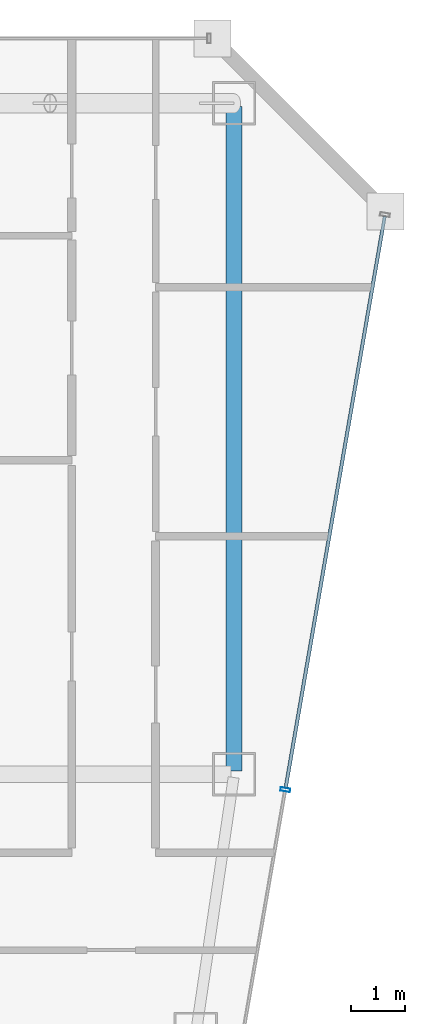
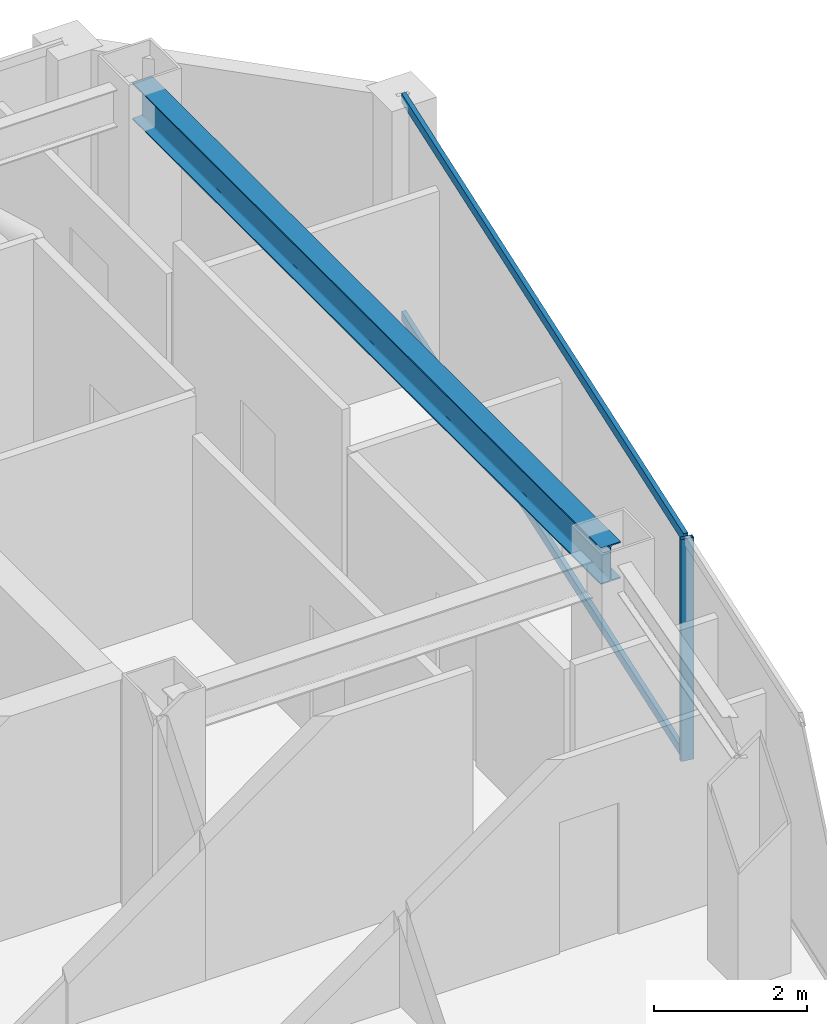
# One storey, part 18 of 33: 3 members, 1 beam, 1 element without a shape of its own.
"""IFC4 building model written with IfcOpenShell, lengths in metres."""

from ifc_helpers import new_model, si_unit, direction, frame, origin, origin_2d, place, context, subcontext, project, spatial, hollow_rectangle, i_section, extrude, material, material_profile, profile_set, type_object, element, aggregate, save


model = new_model("IFC4")

# Units and contexts
model_context = context("Model", 3, precision=1e-05, world=origin(), true_north=direction((0.0, 1.0)))
body_context = subcontext(model_context, "Body", "Model", "MODEL_VIEW")
ifc_project = project(units=[si_unit("LENGTHUNIT", "METRE"), si_unit("AREAUNIT", "SQUARE_METRE"), si_unit("VOLUMEUNIT", "CUBIC_METRE"), si_unit("PLANEANGLEUNIT", "RADIAN"), si_unit("MASSUNIT", "GRAM", prefix="KILO")], contexts=[model_context])

# Site, building, storey
site_placement = place(None, origin())
site = spatial("IfcSite", under=ifc_project, at=site_placement, CompositionType="ELEMENT")
building_placement = place(site_placement, origin())
building = spatial("IfcBuilding", under=site, at=building_placement, Name="Saevonmaru Cultural Tower", CompositionType="ELEMENT")
storey_placement = place(building_placement, frame((0.0, 0.0, 238.199951171875)))
storey = spatial("IfcBuildingStorey", under=building, at=storey_placement, Name="L55", CompositionType="ELEMENT", Elevation=238.199951171875)

# Beam
ifc_material_1 = material(Name="Steel SM355", Category="steel")
ifc_material_profile_1 = material_profile(ifc_material_1, i_section(OverallWidth=0.300048828125, OverallDepth=0.587890625, WebThickness=0.011962890625, FlangeThickness=0.02001953125, FilletRadius=0.02392578125, at=origin_2d()), Name="H-588x300x12x20")
ifc_profile_set_1 = profile_set([ifc_material_profile_1], Name="Steel SM355")
beam_type = type_object("IfcBeamType", Name="BM-G-H588", PredefinedType="BEAM", material=ifc_profile_set_1)
beam_placement = place(storey_placement, frame((53.199951171875, 54.739990234375, 3.256103515625), z_axis=(0.0, -1.0, 0.0), x_axis=(1.0, 0.0, 0.0)))
element("IfcBeam", 1, at=beam_placement, inside=storey, type_object=beam_type, Name="L55 Spine Transverse Girder E", PredefinedType="BEAM", context=body_context, shape_type="SweptSolid", body=[
    extrude(i_section(OverallWidth=0.300048828125, OverallDepth=0.587890625, WebThickness=0.011962890625, FlangeThickness=0.02001953125, FilletRadius=0.02392578125, at=origin_2d()), origin(), (0.0, 0.0, 1.0), 12.280029296875),
])

# Curtain wall, members
ifc_material_2 = material(Name="Satin Bronze Anodised Aluminium", Category="aluminium")
curtain_wall_type = type_object("IfcCurtainWallType", Name="CW-TYP-B", PredefinedType="NOTDEFINED", material=ifc_material_2)
curtain_wall_placement = place(storey_placement, origin())
curtain_wall = element("IfcCurtainWall", 2, at=curtain_wall_placement, inside=storey, type_object=curtain_wall_type, Name="L55 Unitised Curtain Wall E8", PredefinedType="NOTDEFINED")
ifc_material_profile_2 = material_profile(ifc_material_2, hollow_rectangle(XDim=0.06494140625, YDim=0.179931640625, WallThickness=0.00390625, at=origin_2d()), Name="ALU-MULL-180x65x4")
ifc_profile_set_2 = profile_set([ifc_material_profile_2], Name="Satin Bronze Anodised Aluminium")
member_type_1 = type_object("IfcMemberType", Name="ML-CW-180x65", PredefinedType="MULLION", material=ifc_profile_set_2)
member_1_placement = place(storey_placement, frame((54.147705078125, 42.113525390625, 0.0), z_axis=(0.0, 0.0, 1.0), x_axis=(0.170790369887, 0.985307388359, 0.0)))
member_1 = element("IfcMember", 3, at=member_1_placement, type_object=member_type_1, Name="CW-TW-L55-E8 mullion 3", PredefinedType="MULLION", context=body_context, shape_type="SweptSolid", body=[
    extrude(hollow_rectangle(XDim=0.06494140625, YDim=0.179931640625, WallThickness=0.00390625, at=origin_2d()), origin(), (0.0, 0.0, 1.0), 3.550048828125),
])
ifc_material_profile_3 = material_profile(ifc_material_2, hollow_rectangle(XDim=0.06494140625, YDim=0.14990234375, WallThickness=0.00390625, at=origin_2d()), Name="ALU-TRAN-150x65x4")
ifc_profile_set_3 = profile_set([ifc_material_profile_3], Name="Satin Bronze Anodised Aluminium")
member_type_2 = type_object("IfcMemberType", Name="TR-CW-150x65", PredefinedType="USERDEFINED", material=ifc_profile_set_3)
member_2_placement = place(storey_placement, frame((54.1533203125, 42.145751953125, 0.032470703125), z_axis=(0.170773163608, 0.985310370691, 0.0), x_axis=(-0.985310370691, 0.170773163608, 0.0)))
member_2 = element("IfcMember", 4, at=member_2_placement, type_object=member_type_2, Name="CW-TW-L55-E8 transom 3.1", ObjectType="TRANSOM", PredefinedType="USERDEFINED", context=body_context, shape_type="SweptSolid", body=[
    extrude(hollow_rectangle(XDim=0.06494140625, YDim=0.14990234375, WallThickness=0.00390625, at=origin_2d()), origin(), (0.0, 0.0, 1.0), 10.720703125),
])
member_3_placement = place(storey_placement, frame((54.1533203125, 42.145751953125, 3.517578125), z_axis=(0.170773163608, 0.985310370691, 0.0), x_axis=(-0.985310370691, 0.170773163608, 0.0)))
member_3 = element("IfcMember", 5, at=member_3_placement, type_object=member_type_2, Name="CW-TW-L55-E8 transom 3.2", ObjectType="TRANSOM", PredefinedType="USERDEFINED", context=body_context, shape_type="SweptSolid", body=[
    extrude(hollow_rectangle(XDim=0.06494140625, YDim=0.14990234375, WallThickness=0.00390625, at=origin_2d()), origin(), (0.0, 0.0, 1.0), 10.720703125),
])
aggregate(curtain_wall, [member_1, member_2, member_3])

save(model, "model.ifc")
